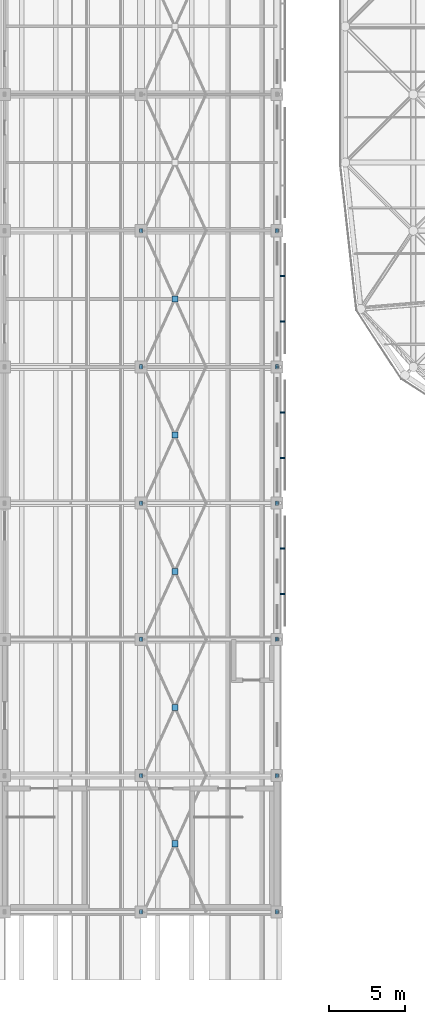
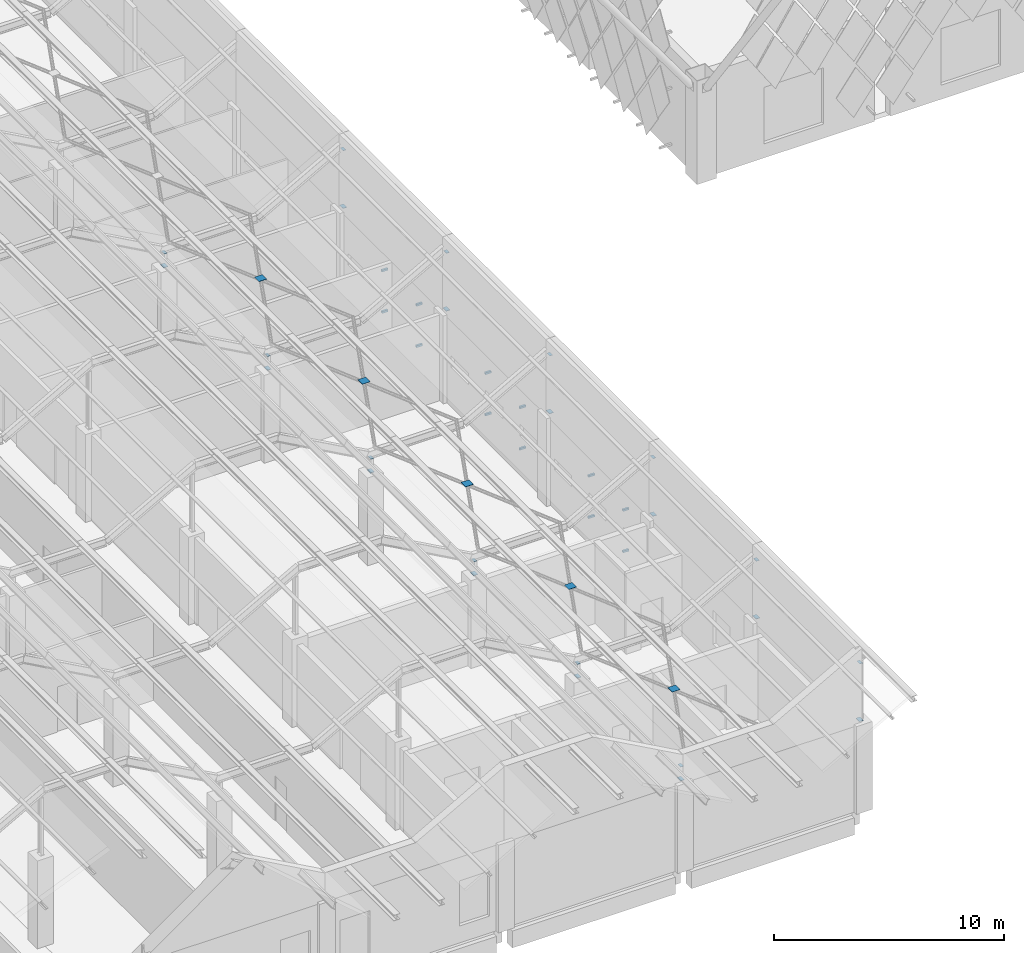
# One storey, part 346 of 437: 41 discrete accessories.
"""IFC4 building model written with IfcOpenShell, lengths in metres."""

from ifc_helpers import new_model, si_unit, direction, frame, origin, origin_2d, place, context, subcontext, project, spatial, rectangle, extrude, material, layer, layer_set, type_object, element, save


model = new_model("IFC4")

# Units and contexts
model_context = context("Model", 3, precision=1e-05, world=origin(), true_north=direction((0.0, 1.0)))
body_context = subcontext(model_context, "Body", "Model", "MODEL_VIEW")
ifc_project = project(units=[si_unit("LENGTHUNIT", "METRE"), si_unit("AREAUNIT", "SQUARE_METRE"), si_unit("VOLUMEUNIT", "CUBIC_METRE"), si_unit("PLANEANGLEUNIT", "RADIAN"), si_unit("MASSUNIT", "GRAM", prefix="KILO")], contexts=[model_context])

# Site, building, storey
site_placement = place(None, origin())
site = spatial("IfcSite", under=ifc_project, at=site_placement, CompositionType="ELEMENT")
building_placement = place(site_placement, origin())
building = spatial("IfcBuilding", under=site, at=building_placement, Name="Opaline Strait Convention Centre", CompositionType="ELEMENT")
storey_placement = place(building_placement, frame((0.0, 0.0, 11.5)))
storey = spatial("IfcBuildingStorey", under=building, at=storey_placement, Name="L02", CompositionType="ELEMENT", Elevation=11.5)

# Discrete accessories
ifc_material_1 = material(Name="Steel Q355B", Category="steel")
ifc_layer_1 = layer(ifc_material_1, 0.02001953125)
ifc_layer_set_1 = layer_set([ifc_layer_1], Name="Steel Q355B")
discrete_accessory_type_1 = type_object("IfcDiscreteAccessoryType", Name="Roof post base plate 300 x 200 x 20", PredefinedType="ANCHORPLATE", material=ifc_layer_set_1)
for number, where, z_axis, x_axis, name in (
    (1, (72.0, 9.0, 4.669921875), (0.0, 0.0, 1.0), (1.0, 0.0, 0.0), "Roof post base plate at 72/9"),
    (2, (81.0, 9.0, 4.669921875), (0.0, 0.0, 1.0), (1.0, 0.0, 0.0), "Roof post base plate at 81/9"),
    (3, (72.0, 18.0, 4.669921875), (0.0, 0.0, 1.0), (1.0, 0.0, 0.0), "Roof post base plate at 72/18"),
    (4, (81.0, 18.0, 4.669921875), (0.0, 0.0, 1.0), (1.0, 0.0, 0.0), "Roof post base plate at 81/18"),
    (5, (72.0, 27.0, 4.669921875), (0.0, 0.0, 1.0), (1.0, 0.0, 0.0), "Roof post base plate at 72/27"),
    (6, (81.0, 27.0, 4.669921875), (0.0, 0.0, 1.0), (1.0, 0.0, 0.0), "Roof post base plate at 81/27"),
    (7, (72.0, 36.0, 4.669921875), (0.0, 0.0, 1.0), (1.0, 0.0, 0.0), "Roof post base plate at 72/36"),
    (8, (81.0, 36.0, 4.669921875), (0.0, 0.0, 1.0), (1.0, 0.0, 0.0), "Roof post base plate at 81/36"),
    (9, (72.0, 45.0, 4.669921875), (0.0, 0.0, 1.0), (1.0, 0.0, 0.0), "Roof post base plate at 72/45"),
    (10, (81.0, 45.0, 4.669921875), (0.0, 0.0, 1.0), (1.0, 0.0, 0.0), "Roof post base plate at 81/45"),
    (11, (72.0, 54.0, 4.669921875), (0.0, 0.0, 1.0), (1.0, 0.0, 0.0), "Roof post base plate at 72/54"),
    (12, (81.0, 54.0, 4.669921875), (0.0, 0.0, 1.0), (1.0, 0.0, 0.0), "Roof post base plate at 81/54"),
):
    element("IfcDiscreteAccessory", number, at=place(storey_placement, frame(where, z_axis=z_axis, x_axis=x_axis)), inside=storey, type_object=discrete_accessory_type_1, Name=name, PredefinedType="ANCHORPLATE", context=body_context, shape_type="SweptSolid", body=[
        extrude(rectangle(XDim=0.199951171875, YDim=0.300048828125, at=origin_2d()), origin(), (0.0, 0.0, 1.0), 0.02001953125),
    ])
ifc_layer_2 = layer(ifc_material_1, 0.014892578125)
ifc_layer_set_2 = layer_set([ifc_layer_2], Name="Steel Q355B")
discrete_accessory_type_2 = type_object("IfcDiscreteAccessoryType", Name="Roof post cap plate 250 x 150 x 15", PredefinedType="ANCHORPLATE", material=ifc_layer_set_2)
for number, where, z_axis, x_axis, name in (
    (13, (72.0, 9.0, 5.38525390625), (0.0, 0.0, 1.0), (1.0, 0.0, 0.0), "Roof post cap plate at 72/9"),
    (14, (81.0, 9.0, 7.72119140625), (0.0, 0.0, 1.0), (1.0, 0.0, 0.0), "Roof post cap plate at 81/9"),
    (15, (72.0, 18.0, 5.38525390625), (0.0, 0.0, 1.0), (1.0, 0.0, 0.0), "Roof post cap plate at 72/18"),
    (16, (81.0, 18.0, 7.72119140625), (0.0, 0.0, 1.0), (1.0, 0.0, 0.0), "Roof post cap plate at 81/18"),
    (17, (72.0, 27.0, 5.38525390625), (0.0, 0.0, 1.0), (1.0, 0.0, 0.0), "Roof post cap plate at 72/27"),
    (18, (81.0, 27.0, 7.72119140625), (0.0, 0.0, 1.0), (1.0, 0.0, 0.0), "Roof post cap plate at 81/27"),
    (19, (72.0, 36.0, 5.38525390625), (0.0, 0.0, 1.0), (1.0, 0.0, 0.0), "Roof post cap plate at 72/36"),
    (20, (81.0, 36.0, 7.72119140625), (0.0, 0.0, 1.0), (1.0, 0.0, 0.0), "Roof post cap plate at 81/36"),
    (21, (72.0, 45.0, 5.38525390625), (0.0, 0.0, 1.0), (1.0, 0.0, 0.0), "Roof post cap plate at 72/45"),
    (22, (81.0, 45.0, 7.72119140625), (0.0, 0.0, 1.0), (1.0, 0.0, 0.0), "Roof post cap plate at 81/45"),
    (23, (72.0, 54.0, 5.38525390625), (0.0, 0.0, 1.0), (1.0, 0.0, 0.0), "Roof post cap plate at 72/54"),
    (24, (81.0, 54.0, 7.72119140625), (0.0, 0.0, 1.0), (1.0, 0.0, 0.0), "Roof post cap plate at 81/54"),
):
    element("IfcDiscreteAccessory", number, at=place(storey_placement, frame(where, z_axis=z_axis, x_axis=x_axis)), inside=storey, type_object=discrete_accessory_type_2, Name=name, PredefinedType="ANCHORPLATE", context=body_context, shape_type="SweptSolid", body=[
        extrude(rectangle(XDim=0.14990234375, YDim=0.25, at=origin_2d()), origin(), (0.0, 0.0, 1.0), 0.014892578125),
    ])
ifc_material_2 = material(Name="Stainless steel 316", Category="steel")
discrete_accessory_type_3 = type_object("IfcDiscreteAccessoryType", Name="Screen bracket 300 stainless steel 316", PredefinedType="BRACKET", material=ifc_material_2)
for number, where, z_axis, x_axis, name in (
    (25, (81.35009765625, 30.0, 0.75), (0.0, 0.0, 1.0), (1.0, 0.0, 0.0), "Screen bracket L02 bay 3"),
    (26, (81.35009765625, 30.0, 2.949951171875), (0.0, 0.0, 1.0), (1.0, 0.0, 0.0), "Screen bracket L02 bay 3"),
    (27, (81.35009765625, 33.0, 0.75), (0.0, 0.0, 1.0), (1.0, 0.0, 0.0), "Screen bracket L02 bay 3"),
    (28, (81.35009765625, 33.0, 2.949951171875), (0.0, 0.0, 1.0), (1.0, 0.0, 0.0), "Screen bracket L02 bay 3"),
    (29, (81.35009765625, 39.0, 0.75), (0.0, 0.0, 1.0), (1.0, 0.0, 0.0), "Screen bracket L02 bay 4"),
    (30, (81.35009765625, 39.0, 2.949951171875), (0.0, 0.0, 1.0), (1.0, 0.0, 0.0), "Screen bracket L02 bay 4"),
    (31, (81.35009765625, 42.0, 0.75), (0.0, 0.0, 1.0), (1.0, 0.0, 0.0), "Screen bracket L02 bay 4"),
    (32, (81.35009765625, 42.0, 2.949951171875), (0.0, 0.0, 1.0), (1.0, 0.0, 0.0), "Screen bracket L02 bay 4"),
    (33, (81.35009765625, 48.0, 0.75), (0.0, 0.0, 1.0), (1.0, 0.0, 0.0), "Screen bracket L02 bay 5"),
    (34, (81.35009765625, 48.0, 2.949951171875), (0.0, 0.0, 1.0), (1.0, 0.0, 0.0), "Screen bracket L02 bay 5"),
    (35, (81.35009765625, 51.0, 0.75), (0.0, 0.0, 1.0), (1.0, 0.0, 0.0), "Screen bracket L02 bay 5"),
    (36, (81.35009765625, 51.0, 2.949951171875), (0.0, 0.0, 1.0), (1.0, 0.0, 0.0), "Screen bracket L02 bay 5"),
):
    element("IfcDiscreteAccessory", number, at=place(storey_placement, frame(where, z_axis=z_axis, x_axis=x_axis)), inside=storey, type_object=discrete_accessory_type_3, Name=name, PredefinedType="BRACKET", context=body_context, shape_type="SweptSolid", body=[
        extrude(rectangle(XDim=0.300048828125, YDim=0.10009765625, at=origin_2d()), origin(), (0.0, 0.0, 1.0), 0.10009765625),
    ])
ifc_layer_3 = layer(ifc_material_1, 0.014892578125)
ifc_layer_set_3 = layer_set([ifc_layer_3], Name="Steel Q355B")
discrete_accessory_type_4 = type_object("IfcDiscreteAccessoryType", Name="X-brace gusset plate 400 x 400 x 15", PredefinedType="ANCHORPLATE", material=ifc_layer_set_3)
for number, where, z_axis, x_axis, name in (
    (37, (74.25, 13.5, 5.93994140625), (0.0, 0.0, 1.0), (1.0, 0.0, 0.0), "X-brace gusset plate bay 1 at 72"),
    (38, (74.25, 22.5, 5.93994140625), (0.0, 0.0, 1.0), (1.0, 0.0, 0.0), "X-brace gusset plate bay 2 at 72"),
    (39, (74.25, 31.5, 5.93994140625), (0.0, 0.0, 1.0), (1.0, 0.0, 0.0), "X-brace gusset plate bay 3 at 72"),
    (40, (74.25, 40.5, 5.93994140625), (0.0, 0.0, 1.0), (1.0, 0.0, 0.0), "X-brace gusset plate bay 4 at 72"),
    (41, (74.25, 49.5, 5.93994140625), (0.0, 0.0, 1.0), (1.0, 0.0, 0.0), "X-brace gusset plate bay 5 at 72"),
):
    element("IfcDiscreteAccessory", number, at=place(storey_placement, frame(where, z_axis=z_axis, x_axis=x_axis)), inside=storey, type_object=discrete_accessory_type_4, Name=name, PredefinedType="ANCHORPLATE", context=body_context, shape_type="SweptSolid", body=[
        extrude(rectangle(XDim=0.39990234375, YDim=0.39990234375, at=origin_2d()), origin(), (0.0, 0.0, 1.0), 0.014892578125),
    ])

save(model, "model.ifc")
